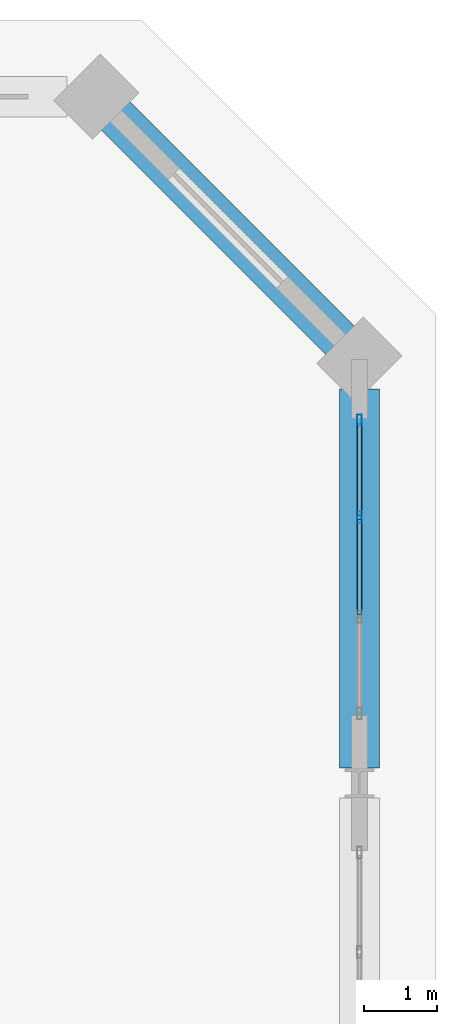
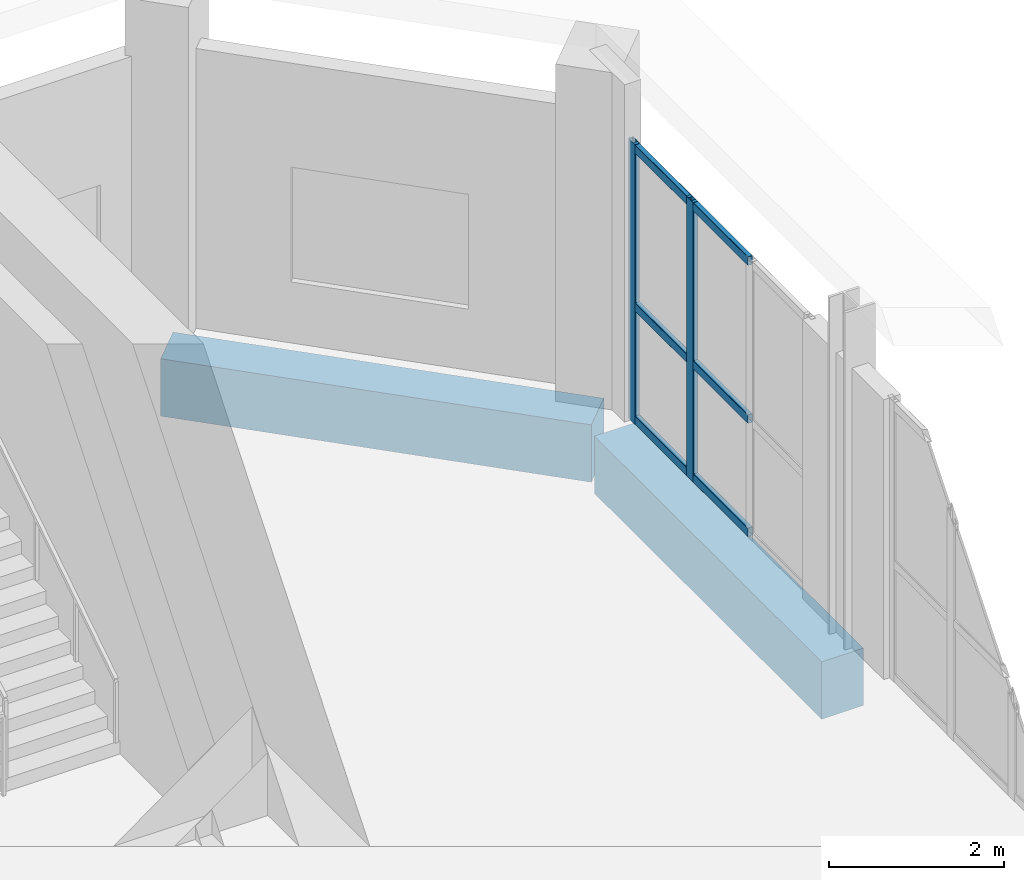
# One storey, part 26 of 36: 8 members, 2 beams, 1 element without a shape of its own.
"""IFC4 building model written with IfcOpenShell, lengths in metres."""

import ifcopenshell
import ifcopenshell.guid

model = None  # the IFC model being written
_history = None  # IfcOwnerHistory: only IFC2X3 demands one
_inside = {}  # id of a spatial element -> (the spatial element, [elements in it])
_under = {}  # id of a project, library or spatial element -> (it, [spatial elements below it])
_declared = {}  # id of a project -> (the project, [libraries it declares])
_typed = {}  # id of a type object -> (the type object, [elements of that type])
_made_of = {}  # id of a material, layer set ... -> (it, [elements and type objects made of it])


def new_model(schema):
    """Start an empty IFC model of exactly this schema.

    Asked for "IFC4X3", IfcOpenShell would pick the latest addendum, in which some entities
    have other attributes; the version numbers below select the first issue.
    IFC2X3 requires an IfcOwnerHistory on every rooted entity: one is made here for all.
    """
    global model, _history
    if schema == "IFC4X3":
        model = ifcopenshell.file(schema_version=(4, 3, 0, 0))
    else:
        model = ifcopenshell.file(schema=schema)
    _inside.clear()
    _under.clear()
    _declared.clear()
    _typed.clear()
    _made_of.clear()
    _history = None
    if model.schema == "IFC2X3":
        org = make("IfcOrganization", Name="unknown")
        user = make(
            "IfcPersonAndOrganization",
            ThePerson=make("IfcPerson", FamilyName="unknown"),
            TheOrganization=org,
        )
        app = make(
            "IfcApplication",
            ApplicationDeveloper=org,
            Version="unknown",
            ApplicationFullName="unknown",
            ApplicationIdentifier="unknown",
        )
        _history = make(
            "IfcOwnerHistory",
            OwningUser=user,
            OwningApplication=app,
            ChangeAction="ADDED",
            CreationDate=0,
        )
    return model


def make(cls, **values):
    """One entity of the class cls with the attributes given. An attribute that is None is left unset."""
    return model.create_entity(
        cls, **{name: value for name, value in values.items() if value is not None}
    )


def rooted(cls, **values):
    """An entity with a GlobalId (a new one), such as an element, a storey or a relation."""
    return make(cls, GlobalId=ifcopenshell.guid.new(), OwnerHistory=_history, **values)


def si_unit(unit_type, name, prefix=None):
    """IfcSIUnit, for example si_unit("LENGTHUNIT", "METRE", prefix="MILLI")."""
    return make("IfcSIUnit", UnitType=unit_type, Prefix=prefix, Name=name)


def assignment(units):
    """IfcUnitAssignment: the units of a project."""
    return None if units is None else make("IfcUnitAssignment", Units=units)


def point(xyz):
    """IfcCartesianPoint."""
    return None if xyz is None else make("IfcCartesianPoint", Coordinates=xyz)


def direction(xyz):
    """IfcDirection."""
    return None if xyz is None else make("IfcDirection", DirectionRatios=xyz)


def frame(location, z_axis=None, x_axis=None):
    """IfcAxis2Placement3D, a coordinate frame: its origin and axes. An axis left out is left unset."""
    return make(
        "IfcAxis2Placement3D",
        Location=point(location),
        Axis=direction(z_axis),
        RefDirection=direction(x_axis),
    )


def frame_2d(location, x_axis=None):
    """IfcAxis2Placement2D, a coordinate frame in the plane: its origin and x axis."""
    return make(
        "IfcAxis2Placement2D", Location=point(location), RefDirection=direction(x_axis)
    )


def origin():
    """The frame at (0, 0, 0) with its axes left unset."""
    return frame((0.0, 0.0, 0.0))


def origin_2d():
    """The frame at (0, 0) in the plane with its x axis left unset."""
    return frame_2d((0.0, 0.0))


def place(relative_to, where):
    """IfcLocalPlacement: puts the frame where relative to a parent placement (None: the world)."""
    return make(
        "IfcLocalPlacement", PlacementRelTo=relative_to, RelativePlacement=where
    )


def context(
    kind, dimensions, precision=None, world=None, true_north=None, identifier=None
):
    """IfcGeometricRepresentationContext, for example the 3D "Model" context."""
    return make(
        "IfcGeometricRepresentationContext",
        ContextIdentifier=identifier,
        ContextType=kind,
        CoordinateSpaceDimension=dimensions,
        Precision=precision,
        WorldCoordinateSystem=world,
        TrueNorth=true_north,
    )


def subcontext(parent, identifier, kind, view, scale=None):
    """IfcGeometricRepresentationSubContext, for example "Body" below "Model"."""
    return make(
        "IfcGeometricRepresentationSubContext",
        ContextIdentifier=identifier,
        ContextType=kind,
        ParentContext=parent,
        TargetScale=scale,
        TargetView=view,
    )


def project(units=None, contexts=None):
    """IfcProject with its units and contexts."""
    return rooted(
        "IfcProject",
        Name="project",
        RepresentationContexts=contexts,
        UnitsInContext=assignment(units),
    )


def spatial(cls, under=None, at=None, **own):
    """A site, building, storey or space (cls), placed at a placement, below another one or the project."""
    s = rooted(cls, ObjectPlacement=at, **own)
    if under is not None:
        _under.setdefault(under.id(), (under, []))[1].append(s)
    return s


def profile(cls, at=None, kind="AREA", **sizes):
    """A parametric profile (cls). Its sizes go by their IFC names, for example OverallWidth=200.0."""
    return make(cls, ProfileType=kind, Position=at, **sizes)


def rectangle(**sizes):
    """IfcRectangleProfileDef."""
    return profile("IfcRectangleProfileDef", **sizes)


def hollow_rectangle(**sizes):
    """IfcRectangleHollowProfileDef."""
    return profile("IfcRectangleHollowProfileDef", **sizes)


def extrude(swept, where, along, depth):
    """IfcExtrudedAreaSolid: the profile swept, set in the frame where, extruded along a direction by depth."""
    return make(
        "IfcExtrudedAreaSolid",
        SweptArea=swept,
        Position=where,
        ExtrudedDirection=direction(along),
        Depth=depth,
    )


def shape(context_of_items, identifier, shape_type, items):
    """IfcShapeRepresentation: the items that make up one representation, for example the "Body"."""
    return make(
        "IfcShapeRepresentation",
        ContextOfItems=context_of_items,
        RepresentationIdentifier=identifier,
        RepresentationType=shape_type,
        Items=items,
    )


def material(Name=None, Category=None):
    """IfcMaterial."""
    return make("IfcMaterial", Name=Name, Category=Category)


def layer(
    of_material, thickness, ventilated=None, Name=None, Category=None, Priority=None
):
    """IfcMaterialLayer: one layer of a wall or slab, of a material (None: an air gap)."""
    return make(
        "IfcMaterialLayer",
        Material=of_material,
        LayerThickness=thickness,
        IsVentilated=ventilated,
        Name=Name,
        Category=Category,
        Priority=Priority,
    )


def layer_set(layers, Name=None):
    """IfcMaterialLayerSet."""
    return make("IfcMaterialLayerSet", MaterialLayers=layers, LayerSetName=Name)


def material_profile(
    of_material, cross_section, Name=None, Category=None, Priority=None
):
    """IfcMaterialProfile: a cross section and its material."""
    return make(
        "IfcMaterialProfile",
        Name=Name,
        Material=of_material,
        Profile=cross_section,
        Priority=Priority,
        Category=Category,
    )


def profile_set(profiles, Name=None, composite=None):
    """IfcMaterialProfileSet."""
    return make(
        "IfcMaterialProfileSet",
        Name=Name,
        MaterialProfiles=profiles,
        CompositeProfile=composite,
    )


def made_of(thing, what):
    """Note that an element or type object is made of a material, layer set ...; save() writes the relation."""
    if what is not None:
        _made_of.setdefault(what.id(), (what, []))[1].append(thing)
    return thing


def type_object(cls, material=None, **own):
    """A type object (cls), such as IfcWallType, which elements share."""
    return made_of(rooted(cls, **own), material)


def element(
    cls,
    number,
    at=None,
    inside=None,
    cuts=None,
    type_object=None,
    material=None,
    context=None,
    identifier="Body",
    shape_type=None,
    held_by="IfcProductDefinitionShape",
    body=None,
    shapes=None,
    **own,
):
    """One element of the class cls, such as IfcWall. Its Tag is "e" and its number.

    at: its placement. inside: the storey or other place that contains it. cuts: it is an
    opening in that element (IfcRelVoidsElement). A single representation is given by context,
    identifier, shape_type and body (its items); several are given by shapes. held_by: the class
    of the entity that holds the representations. save() writes the other relations.
    """
    e = rooted(cls, Tag="e%d" % number, ObjectPlacement=at, **own)
    if body is not None:
        shapes = [shape(context, identifier, shape_type, body)]
    if shapes is not None:
        e.Representation = make(held_by, Representations=shapes)
    if inside is not None:
        _inside.setdefault(inside.id(), (inside, []))[1].append(e)
    if cuts is not None:
        rooted(
            "IfcRelVoidsElement", RelatingBuildingElement=cuts, RelatedOpeningElement=e
        )
    if type_object is not None:
        _typed.setdefault(type_object.id(), (type_object, []))[1].append(e)
    return made_of(e, material)


def aggregate(whole, parts):
    """IfcRelAggregates: a whole, such as a stair, and the parts it consists of."""
    return rooted("IfcRelAggregates", RelatingObject=whole, RelatedObjects=parts)


def save(model, path):
    """Write the relations noted so far, then the file.

    IfcRelAggregates (storeys below a building ...), IfcRelContainedInSpatialStructure (elements
    in a storey), IfcRelDefinesByType, IfcRelAssociatesMaterial and IfcRelDeclares: one each for
    every whole, place, type object, material and project.
    """
    for whole, parts in _under.values():
        aggregate(whole, parts)
    for where, things in _inside.values():
        rooted(
            "IfcRelContainedInSpatialStructure",
            RelatedElements=things,
            RelatingStructure=where,
        )
    for kind, things in _typed.values():
        rooted("IfcRelDefinesByType", RelatedObjects=things, RelatingType=kind)
    for what, things in _made_of.values():
        rooted("IfcRelAssociatesMaterial", RelatedObjects=things, RelatingMaterial=what)
    for by, libraries in _declared.values():
        rooted("IfcRelDeclares", RelatingContext=by, RelatedDefinitions=libraries)
    model.write(path)


model = new_model("IFC4")

# Units and contexts
model_context = context("Model", 3, precision=1e-05, world=origin(), true_north=direction((0.0, 1.0)))
body_context = subcontext(model_context, "Body", "Model", "MODEL_VIEW")
ifc_project = project(units=[si_unit("LENGTHUNIT", "METRE"), si_unit("AREAUNIT", "SQUARE_METRE"), si_unit("VOLUMEUNIT", "CUBIC_METRE"), si_unit("PLANEANGLEUNIT", "RADIAN"), si_unit("MASSUNIT", "GRAM", prefix="KILO")], contexts=[model_context])

# Site, building, storey
site_placement = place(None, origin())
site = spatial("IfcSite", under=ifc_project, at=site_placement, CompositionType="ELEMENT")
building_placement = place(site_placement, origin())
building = spatial("IfcBuilding", under=site, at=building_placement, Name="Kaelvorn Grand Hotel", CompositionType="ELEMENT")
storey_placement = place(building_placement, frame((0.0, 0.0, 305.699951171875)))
storey = spatial("IfcBuildingStorey", under=building, at=storey_placement, Name="L74", CompositionType="ELEMENT", Elevation=305.699951171875)

# Beams
ifc_material_1 = material(Name="Concrete C50/60", Category="concrete")
ifc_material_profile_1 = material_profile(ifc_material_1, rectangle(XDim=0.550048828125, YDim=0.800048828125, at=origin_2d()), Name="RC SPANDREL 550x800")
ifc_profile_set_1 = profile_set([ifc_material_profile_1], Name="Concrete C50/60")
beam_type = type_object("IfcBeamType", Name="BM-SP-550x800-C50", PredefinedType="SPANDREL", material=ifc_profile_set_1)
beam_1_placement = place(storey_placement, frame((75.0, 39.804931640625, -0.780029296875), z_axis=(0.0, 1.0, 0.0), x_axis=(-1.0, 0.0, 0.0)))
element("IfcBeam", 1, at=beam_1_placement, inside=storey, type_object=beam_type, Name="L74 East Perimeter Spandrel 04", PredefinedType="SPANDREL", context=body_context, shape_type="SweptSolid", body=[
    extrude(rectangle(XDim=0.550048828125, YDim=0.800048828125, at=origin_2d()), origin(), (0.0, 0.0, 1.0), 5.190185546875),
])
beam_2_placement = place(storey_placement, frame((75.0, 45.39990234375, -0.780029296875), z_axis=(-0.707106781187, 0.707106781187, 0.0), x_axis=(-0.707106781187, -0.707106781187, 0.0)))
element("IfcBeam", 2, at=beam_2_placement, inside=storey, type_object=beam_type, Name="L74 Chamfer Spandrel Beam 2", PredefinedType="SPANDREL", context=body_context, shape_type="SweptSolid", body=[
    extrude(rectangle(XDim=0.550048828125, YDim=0.800048828125, at=origin_2d()), origin(), (0.0, 0.0, 1.0), 5.09130859375),
])

# Curtain wall, members
ifc_material_2 = material(Name="Anodised Aluminium", Category="aluminium")
ifc_layer = layer(ifc_material_2, 0.159912109375)
ifc_layer_set = layer_set([ifc_layer], Name="Anodised Aluminium")
curtain_wall_type = type_object("IfcCurtainWallType", Name="CW-SYS6", PredefinedType="NOTDEFINED", material=ifc_layer_set)
curtain_wall_placement = place(storey_placement, origin())
curtain_wall = element("IfcCurtainWall", 3, at=curtain_wall_placement, inside=storey, type_object=curtain_wall_type, Name="L74 Unitised Curtain Wall CW6 (CW-L74-E-05)", PredefinedType="NOTDEFINED")
ifc_material_profile_2 = material_profile(ifc_material_2, hollow_rectangle(XDim=0.06494140625, YDim=0.159912109375, WallThickness=0.00341796875, InnerFilletRadius=0.00341796875, OuterFilletRadius=0.007080078125, at=origin_2d()), Name="ALU MULL 65x160")
ifc_profile_set_2 = profile_set([ifc_material_profile_2], Name="Anodised Aluminium")
member_type_1 = type_object("IfcMemberType", Name="CW-SYS6-MULL", PredefinedType="MULLION", material=ifc_profile_set_2)
member_1_placement = place(storey_placement, frame((75.0, 43.239990234375, 0.0), z_axis=(0.0, 0.0, 1.0), x_axis=(-1.0, 0.0, 0.0)))
member_1 = element("IfcMember", 4, at=member_1_placement, type_object=member_type_1, Name="CW6 mullion 3", PredefinedType="MULLION", context=body_context, shape_type="SweptSolid", body=[
    extrude(hollow_rectangle(XDim=0.06494140625, YDim=0.159912109375, WallThickness=0.00341796875, InnerFilletRadius=0.00341796875, OuterFilletRadius=0.007080078125, at=origin_2d()), origin(), (0.0, 0.0, 1.0), 3.900146484375),
])
member_2_placement = place(storey_placement, frame((75.0, 44.5673828125, 0.0), z_axis=(0.0, 0.0, 1.0), x_axis=(-1.0, 0.0, 0.0)))
member_2 = element("IfcMember", 5, at=member_2_placement, type_object=member_type_1, Name="CW6 mullion 4", PredefinedType="MULLION", context=body_context, shape_type="SweptSolid", body=[
    extrude(hollow_rectangle(XDim=0.06494140625, YDim=0.159912109375, WallThickness=0.00341796875, InnerFilletRadius=0.00341796875, OuterFilletRadius=0.007080078125, at=origin_2d()), origin(), (0.0, 0.0, 1.0), 3.900146484375),
])
ifc_material_profile_3 = material_profile(ifc_material_2, hollow_rectangle(XDim=0.06494140625, YDim=0.1201171875, WallThickness=0.00341796875, InnerFilletRadius=0.00341796875, OuterFilletRadius=0.007080078125, at=origin_2d()), Name="ALU TRAN 65x120")
ifc_profile_set_3 = profile_set([ifc_material_profile_3], Name="Anodised Aluminium")
member_type_2 = type_object("IfcMemberType", Name="CW-SYS6-TRAN", PredefinedType="NOTDEFINED", material=ifc_profile_set_3)
member_3_placement = place(storey_placement, frame((75.0, 41.91259765625, 0.06005859375), z_axis=(0.0, 1.0, 0.0), x_axis=(-1.0, 0.0, 0.0)))
member_3 = element("IfcMember", 6, at=member_3_placement, type_object=member_type_2, Name="CW6 transom 2.1", ObjectType="TRANSOM", PredefinedType="USERDEFINED", context=body_context, shape_type="SweptSolid", body=[
    extrude(hollow_rectangle(XDim=0.06494140625, YDim=0.1201171875, WallThickness=0.00341796875, InnerFilletRadius=0.00341796875, OuterFilletRadius=0.007080078125, at=origin_2d()), origin(), (0.0, 0.0, 1.0), 1.294921875),
])
member_4_placement = place(storey_placement, frame((75.0, 41.91259765625, 1.637939453125), z_axis=(0.0, 1.0, 0.0), x_axis=(-1.0, 0.0, 0.0)))
member_4 = element("IfcMember", 7, at=member_4_placement, type_object=member_type_2, Name="CW6 transom 2.2", ObjectType="TRANSOM", PredefinedType="USERDEFINED", context=body_context, shape_type="SweptSolid", body=[
    extrude(hollow_rectangle(XDim=0.06494140625, YDim=0.1201171875, WallThickness=0.00341796875, InnerFilletRadius=0.00341796875, OuterFilletRadius=0.007080078125, at=origin_2d()), origin(), (0.0, 0.0, 1.0), 1.294921875),
])
member_5_placement = place(storey_placement, frame((75.0, 41.91259765625, 3.840087890625), z_axis=(0.0, 1.0, 0.0), x_axis=(-1.0, 0.0, 0.0)))
member_5 = element("IfcMember", 8, at=member_5_placement, type_object=member_type_2, Name="CW6 transom 2.3", ObjectType="TRANSOM", PredefinedType="USERDEFINED", context=body_context, shape_type="SweptSolid", body=[
    extrude(hollow_rectangle(XDim=0.06494140625, YDim=0.1201171875, WallThickness=0.00341796875, InnerFilletRadius=0.00341796875, OuterFilletRadius=0.007080078125, at=origin_2d()), origin(), (0.0, 0.0, 1.0), 1.294921875),
])
member_6_placement = place(storey_placement, frame((75.0, 43.2724609375, 0.06005859375), z_axis=(0.0, 1.0, 0.0), x_axis=(-1.0, 0.0, 0.0)))
member_6 = element("IfcMember", 9, at=member_6_placement, type_object=member_type_2, Name="CW6 transom 3.1", ObjectType="TRANSOM", PredefinedType="USERDEFINED", context=body_context, shape_type="SweptSolid", body=[
    extrude(hollow_rectangle(XDim=0.06494140625, YDim=0.1201171875, WallThickness=0.00341796875, InnerFilletRadius=0.00341796875, OuterFilletRadius=0.007080078125, at=origin_2d()), origin(), (0.0, 0.0, 1.0), 1.262451171875),
])
member_7_placement = place(storey_placement, frame((75.0, 43.2724609375, 1.637939453125), z_axis=(0.0, 1.0, 0.0), x_axis=(-1.0, 0.0, 0.0)))
member_7 = element("IfcMember", 10, at=member_7_placement, type_object=member_type_2, Name="CW6 transom 3.2", ObjectType="TRANSOM", PredefinedType="USERDEFINED", context=body_context, shape_type="SweptSolid", body=[
    extrude(hollow_rectangle(XDim=0.06494140625, YDim=0.1201171875, WallThickness=0.00341796875, InnerFilletRadius=0.00341796875, OuterFilletRadius=0.007080078125, at=origin_2d()), origin(), (0.0, 0.0, 1.0), 1.262451171875),
])
member_8_placement = place(storey_placement, frame((75.0, 43.2724609375, 3.840087890625), z_axis=(0.0, 1.0, 0.0), x_axis=(-1.0, 0.0, 0.0)))
member_8 = element("IfcMember", 11, at=member_8_placement, type_object=member_type_2, Name="CW6 transom 3.3", ObjectType="TRANSOM", PredefinedType="USERDEFINED", context=body_context, shape_type="SweptSolid", body=[
    extrude(hollow_rectangle(XDim=0.06494140625, YDim=0.1201171875, WallThickness=0.00341796875, InnerFilletRadius=0.00341796875, OuterFilletRadius=0.007080078125, at=origin_2d()), origin(), (0.0, 0.0, 1.0), 1.262451171875),
])
aggregate(curtain_wall, [member_1, member_2, member_3, member_4, member_5, member_6, member_7, member_8])

save(model, "model.ifc")
